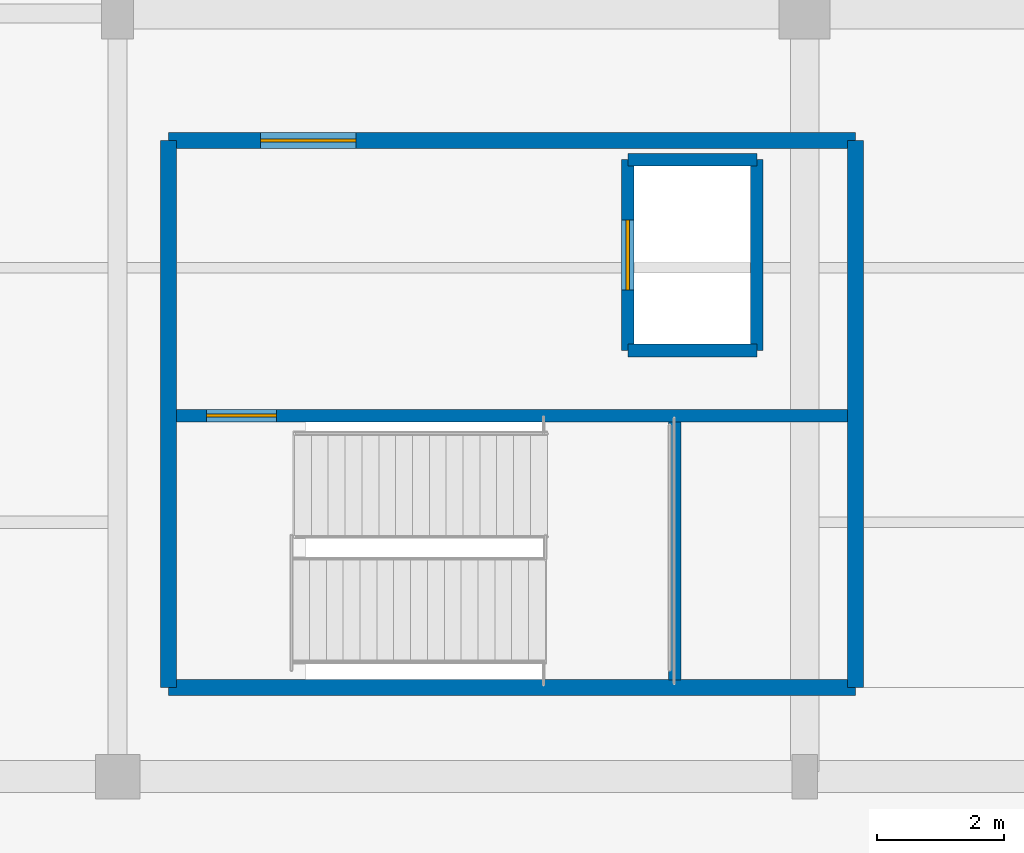
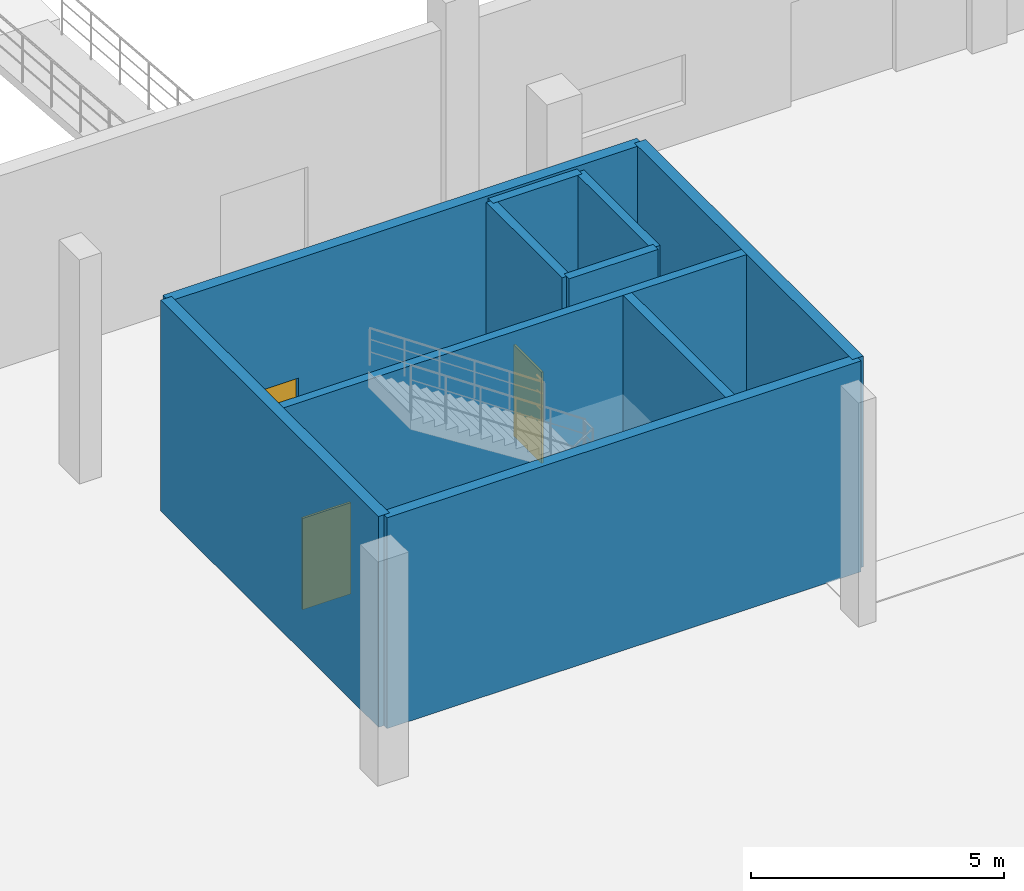
# One storey, part 58 of 85: 10 walls, 3 doors, 3 openings.
"""IFC4 building model written with IfcOpenShell, lengths in metres."""

import ifcopenshell
import ifcopenshell.guid

model = None  # the IFC model being written
_history = None  # IfcOwnerHistory: only IFC2X3 demands one
_inside = {}  # id of a spatial element -> (the spatial element, [elements in it])
_under = {}  # id of a project, library or spatial element -> (it, [spatial elements below it])
_declared = {}  # id of a project -> (the project, [libraries it declares])
_typed = {}  # id of a type object -> (the type object, [elements of that type])
_made_of = {}  # id of a material, layer set ... -> (it, [elements and type objects made of it])


def new_model(schema):
    """Start an empty IFC model of exactly this schema.

    Asked for "IFC4X3", IfcOpenShell would pick the latest addendum, in which some entities
    have other attributes; the version numbers below select the first issue.
    IFC2X3 requires an IfcOwnerHistory on every rooted entity: one is made here for all.
    """
    global model, _history
    if schema == "IFC4X3":
        model = ifcopenshell.file(schema_version=(4, 3, 0, 0))
    else:
        model = ifcopenshell.file(schema=schema)
    _inside.clear()
    _under.clear()
    _declared.clear()
    _typed.clear()
    _made_of.clear()
    _history = None
    if model.schema == "IFC2X3":
        org = make("IfcOrganization", Name="unknown")
        user = make(
            "IfcPersonAndOrganization",
            ThePerson=make("IfcPerson", FamilyName="unknown"),
            TheOrganization=org,
        )
        app = make(
            "IfcApplication",
            ApplicationDeveloper=org,
            Version="unknown",
            ApplicationFullName="unknown",
            ApplicationIdentifier="unknown",
        )
        _history = make(
            "IfcOwnerHistory",
            OwningUser=user,
            OwningApplication=app,
            ChangeAction="ADDED",
            CreationDate=0,
        )
    return model


def make(cls, **values):
    """One entity of the class cls with the attributes given. An attribute that is None is left unset."""
    return model.create_entity(
        cls, **{name: value for name, value in values.items() if value is not None}
    )


def rooted(cls, **values):
    """An entity with a GlobalId (a new one), such as an element, a storey or a relation."""
    return make(cls, GlobalId=ifcopenshell.guid.new(), OwnerHistory=_history, **values)


def si_unit(unit_type, name, prefix=None):
    """IfcSIUnit, for example si_unit("LENGTHUNIT", "METRE", prefix="MILLI")."""
    return make("IfcSIUnit", UnitType=unit_type, Prefix=prefix, Name=name)


def assignment(units):
    """IfcUnitAssignment: the units of a project."""
    return None if units is None else make("IfcUnitAssignment", Units=units)


def point(xyz):
    """IfcCartesianPoint."""
    return None if xyz is None else make("IfcCartesianPoint", Coordinates=xyz)


def direction(xyz):
    """IfcDirection."""
    return None if xyz is None else make("IfcDirection", DirectionRatios=xyz)


def frame(location, z_axis=None, x_axis=None):
    """IfcAxis2Placement3D, a coordinate frame: its origin and axes. An axis left out is left unset."""
    return make(
        "IfcAxis2Placement3D",
        Location=point(location),
        Axis=direction(z_axis),
        RefDirection=direction(x_axis),
    )


def frame_2d(location, x_axis=None):
    """IfcAxis2Placement2D, a coordinate frame in the plane: its origin and x axis."""
    return make(
        "IfcAxis2Placement2D", Location=point(location), RefDirection=direction(x_axis)
    )


def origin():
    """The frame at (0, 0, 0) with its axes left unset."""
    return frame((0.0, 0.0, 0.0))


def place(relative_to, where):
    """IfcLocalPlacement: puts the frame where relative to a parent placement (None: the world)."""
    return make(
        "IfcLocalPlacement", PlacementRelTo=relative_to, RelativePlacement=where
    )


def context(
    kind, dimensions, precision=None, world=None, true_north=None, identifier=None
):
    """IfcGeometricRepresentationContext, for example the 3D "Model" context."""
    return make(
        "IfcGeometricRepresentationContext",
        ContextIdentifier=identifier,
        ContextType=kind,
        CoordinateSpaceDimension=dimensions,
        Precision=precision,
        WorldCoordinateSystem=world,
        TrueNorth=true_north,
    )


def subcontext(parent, identifier, kind, view, scale=None):
    """IfcGeometricRepresentationSubContext, for example "Body" below "Model"."""
    return make(
        "IfcGeometricRepresentationSubContext",
        ContextIdentifier=identifier,
        ContextType=kind,
        ParentContext=parent,
        TargetScale=scale,
        TargetView=view,
    )


def project(units=None, contexts=None):
    """IfcProject with its units and contexts."""
    return rooted(
        "IfcProject",
        Name="project",
        RepresentationContexts=contexts,
        UnitsInContext=assignment(units),
    )


def spatial(cls, under=None, at=None, **own):
    """A site, building, storey or space (cls), placed at a placement, below another one or the project."""
    s = rooted(cls, ObjectPlacement=at, **own)
    if under is not None:
        _under.setdefault(under.id(), (under, []))[1].append(s)
    return s


def profile(cls, at=None, kind="AREA", **sizes):
    """A parametric profile (cls). Its sizes go by their IFC names, for example OverallWidth=200.0."""
    return make(cls, ProfileType=kind, Position=at, **sizes)


def rectangle(**sizes):
    """IfcRectangleProfileDef."""
    return profile("IfcRectangleProfileDef", **sizes)


def extrude(swept, where, along, depth):
    """IfcExtrudedAreaSolid: the profile swept, set in the frame where, extruded along a direction by depth."""
    return make(
        "IfcExtrudedAreaSolid",
        SweptArea=swept,
        Position=where,
        ExtrudedDirection=direction(along),
        Depth=depth,
    )


def shape(context_of_items, identifier, shape_type, items):
    """IfcShapeRepresentation: the items that make up one representation, for example the "Body"."""
    return make(
        "IfcShapeRepresentation",
        ContextOfItems=context_of_items,
        RepresentationIdentifier=identifier,
        RepresentationType=shape_type,
        Items=items,
    )


def material(Name=None, Category=None):
    """IfcMaterial."""
    return make("IfcMaterial", Name=Name, Category=Category)


def layer(
    of_material, thickness, ventilated=None, Name=None, Category=None, Priority=None
):
    """IfcMaterialLayer: one layer of a wall or slab, of a material (None: an air gap)."""
    return make(
        "IfcMaterialLayer",
        Material=of_material,
        LayerThickness=thickness,
        IsVentilated=ventilated,
        Name=Name,
        Category=Category,
        Priority=Priority,
    )


def layer_set(layers, Name=None):
    """IfcMaterialLayerSet."""
    return make("IfcMaterialLayerSet", MaterialLayers=layers, LayerSetName=Name)


def made_of(thing, what):
    """Note that an element or type object is made of a material, layer set ...; save() writes the relation."""
    if what is not None:
        _made_of.setdefault(what.id(), (what, []))[1].append(thing)
    return thing


def type_object(cls, material=None, **own):
    """A type object (cls), such as IfcWallType, which elements share."""
    return made_of(rooted(cls, **own), material)


def element(
    cls,
    number,
    at=None,
    inside=None,
    cuts=None,
    type_object=None,
    material=None,
    context=None,
    identifier="Body",
    shape_type=None,
    held_by="IfcProductDefinitionShape",
    body=None,
    shapes=None,
    **own,
):
    """One element of the class cls, such as IfcWall. Its Tag is "e" and its number.

    at: its placement. inside: the storey or other place that contains it. cuts: it is an
    opening in that element (IfcRelVoidsElement). A single representation is given by context,
    identifier, shape_type and body (its items); several are given by shapes. held_by: the class
    of the entity that holds the representations. save() writes the other relations.
    """
    e = rooted(cls, Tag="e%d" % number, ObjectPlacement=at, **own)
    if body is not None:
        shapes = [shape(context, identifier, shape_type, body)]
    if shapes is not None:
        e.Representation = make(held_by, Representations=shapes)
    if inside is not None:
        _inside.setdefault(inside.id(), (inside, []))[1].append(e)
    if cuts is not None:
        rooted(
            "IfcRelVoidsElement", RelatingBuildingElement=cuts, RelatedOpeningElement=e
        )
    if type_object is not None:
        _typed.setdefault(type_object.id(), (type_object, []))[1].append(e)
    return made_of(e, material)


def fill(opening, filler):
    """IfcRelFillsElement: the door or window that sits in an opening."""
    return rooted(
        "IfcRelFillsElement",
        RelatingOpeningElement=opening,
        RelatedBuildingElement=filler,
    )


def aggregate(whole, parts):
    """IfcRelAggregates: a whole, such as a stair, and the parts it consists of."""
    return rooted("IfcRelAggregates", RelatingObject=whole, RelatedObjects=parts)


def save(model, path):
    """Write the relations noted so far, then the file.

    IfcRelAggregates (storeys below a building ...), IfcRelContainedInSpatialStructure (elements
    in a storey), IfcRelDefinesByType, IfcRelAssociatesMaterial and IfcRelDeclares: one each for
    every whole, place, type object, material and project.
    """
    for whole, parts in _under.values():
        aggregate(whole, parts)
    for where, things in _inside.values():
        rooted(
            "IfcRelContainedInSpatialStructure",
            RelatedElements=things,
            RelatingStructure=where,
        )
    for kind, things in _typed.values():
        rooted("IfcRelDefinesByType", RelatedObjects=things, RelatingType=kind)
    for what, things in _made_of.values():
        rooted("IfcRelAssociatesMaterial", RelatedObjects=things, RelatingMaterial=what)
    for by, libraries in _declared.values():
        rooted("IfcRelDeclares", RelatingContext=by, RelatedDefinitions=libraries)
    model.write(path)


model = new_model("IFC4")

# Units and contexts
model_context = context("Model", 3, precision=1e-05, world=origin(), true_north=direction((0.0, 1.0)))
body_context = subcontext(model_context, "Body", "Model", "MODEL_VIEW")
ifc_project = project(units=[si_unit("LENGTHUNIT", "METRE"), si_unit("AREAUNIT", "SQUARE_METRE"), si_unit("VOLUMEUNIT", "CUBIC_METRE"), si_unit("PLANEANGLEUNIT", "RADIAN"), si_unit("MASSUNIT", "GRAM", prefix="KILO"), si_unit("THERMODYNAMICTEMPERATUREUNIT", "KELVIN"), si_unit("POWERUNIT", "WATT")], contexts=[model_context])

# Site, building, storey
site_placement = place(None, origin())
site = spatial("IfcSite", under=ifc_project, at=site_placement, CompositionType="ELEMENT")
building_placement = place(site_placement, origin())
building = spatial("IfcBuilding", under=site, at=building_placement, Name="Solmara Park Aquatics Centre", CompositionType="ELEMENT")
storey_placement = place(building_placement, origin())
storey = spatial("IfcBuildingStorey", under=building, at=storey_placement, Name="L00", CompositionType="ELEMENT", Elevation=0.0)

# Wall
ifc_material_1 = material(Name="Concrete C40/50", Category="concrete")
ifc_layer_1 = layer(ifc_material_1, 0.25, Name="Concrete C40/50")
ifc_layer_set_1 = layer_set([ifc_layer_1], Name="Concrete C40/50")
wall_type_1 = type_object("IfcWallType", Name="ARC-WL-CORE250", PredefinedType="SHEAR", material=ifc_layer_set_1)
wall_1_placement = place(storey_placement, frame((110.0, 38.0, 0.0), z_axis=(0.0, 0.0, 1.0), x_axis=(1.0, 0.0, 0.0)))
element("IfcWall", 1, at=wall_1_placement, inside=storey, type_object=wall_type_1, Name="CORE-3 Core Wall S L00", PredefinedType="SHEAR", context=body_context, shape_type="SweptSolid", body=[
    extrude(rectangle(XDim=10.800048828125, YDim=0.25, at=frame_2d((5.39990234375, 0.0))), origin(), (0.0, 0.0, 1.0), 5.080078125),
])

# Wall, opening, door
wall_2_placement = place(storey_placement, frame((110.0, 46.60009765625, 0.0), z_axis=(0.0, 0.0, 1.0), x_axis=(1.0, 0.0, 0.0)))
wall_2 = element("IfcWall", 2, at=wall_2_placement, inside=storey, type_object=wall_type_1, Name="CORE-3 Core Wall N L00", PredefinedType="SHEAR", context=body_context, shape_type="SweptSolid", body=[
    extrude(rectangle(XDim=10.800048828125, YDim=0.25, at=frame_2d((5.39990234375, 0.0))), origin(), (0.0, 0.0, 1.0), 5.080078125),
])
opening_1_placement = place(wall_2_placement, frame((1.449951171875, 0.0, 0.0)))
opening_1 = element("IfcOpeningElement", 3, at=opening_1_placement, cuts=wall_2, Name="Opening D-12", PredefinedType="OPENING", context=body_context, shape_type="SweptSolid", body=[
    extrude(rectangle(XDim=1.5, YDim=2.199951171875, at=frame_2d((0.75, 1.10009765625))), frame((0.0, 0.135009765625, 0.0), z_axis=(0.0, -1.0, 0.0), x_axis=(1.0, 0.0, 0.0)), (0.0, 0.0, 1.0), 0.27001953125),
])
ifc_material_2 = material(Name="Moisture-Resistant HPL & Hardwood", Category="wood")
door_type_1 = type_object("IfcDoorType", Name="ARC-DR-FD150x220", OperationType="DOUBLE_DOOR_SINGLE_SWING", PredefinedType="DOOR", material=ifc_material_2)
door_1_placement = place(opening_1_placement, origin())
door_1 = element("IfcDoor", 4, at=door_1_placement, inside=storey, type_object=door_type_1, Name="CORE-3 Lobby Entry Fire Door L00", OperationType="DOUBLE_DOOR_SINGLE_SWING", OverallHeight=2.199951171875, OverallWidth=1.5, PredefinedType="DOOR", context=body_context, shape_type="SweptSolid", body=[
    extrude(rectangle(XDim=1.5, YDim=2.199951171875, at=frame_2d((0.75, 1.10009765625))), frame((0.0, 0.02490234375, 0.0), z_axis=(0.0, -1.0, 0.0), x_axis=(1.0, 0.0, 0.0)), (0.0, 0.0, 1.0), 0.050048828125),
])
fill(opening_1, door_1)

# Walls
for number, where, z_axis, x_axis, name in (
    (5, (110.0, 38.0, 0.0), (0.0, 0.0, 1.0), (0.0, 1.0, 0.0), "CORE-3 Core Wall W L00"),
    (6, (120.800048828125, 38.0, 0.0), (0.0, 0.0, 1.0), (0.0, 1.0, 0.0), "CORE-3 Core Wall E L00"),
):
    element("IfcWall", number, at=place(storey_placement, frame(where, z_axis=z_axis, x_axis=x_axis)), inside=storey, type_object=wall_type_1, Name=name, PredefinedType="SHEAR", context=body_context, shape_type="SweptSolid", body=[
        extrude(rectangle(XDim=8.60009765625, YDim=0.25, at=frame_2d((4.300048828125, 0.0))), origin(), (0.0, 0.0, 1.0), 5.080078125),
    ])

# Wall, opening, door
ifc_material_3 = material(Name="Concrete C25/30 Autoclaved Aerated Fire Blockwork", Category="masonry")
ifc_layer_2 = layer(ifc_material_3, 0.199951171875, Name="Concrete C25/30 Autoclaved Aerated Fire Blockwork")
ifc_layer_set_2 = layer_set([ifc_layer_2], Name="Concrete C25/30 Autoclaved Aerated Fire Blockwork")
wall_type_2 = type_object("IfcWallType", Name="ARC-WL-FIRE200", PredefinedType="SOLIDWALL", material=ifc_layer_set_2)
wall_3_placement = place(storey_placement, frame((117.219970703125, 43.300048828125, 0.0), z_axis=(0.0, 0.0, 1.0), x_axis=(0.0, 1.0, 0.0)))
wall_3 = element("IfcWall", 7, at=wall_3_placement, inside=storey, type_object=wall_type_2, Name="CORE-3 Lift Shaft Front Wall L00", PredefinedType="SOLIDWALL", context=body_context, shape_type="SweptSolid", body=[
    extrude(rectangle(XDim=3.0, YDim=0.199951171875, at=frame_2d((1.5, 0.0))), origin(), (0.0, 0.0, 1.0), 5.080078125),
])
opening_2_placement = place(wall_3_placement, frame((0.949951171875, 0.0, 0.0)))
opening_2 = element("IfcOpeningElement", 8, at=opening_2_placement, cuts=wall_3, Name="Opening D-09", PredefinedType="OPENING", context=body_context, shape_type="SweptSolid", body=[
    extrude(rectangle(XDim=1.10009765625, YDim=2.199951171875, at=frame_2d((0.550048828125, 1.10009765625))), frame((0.0, 0.10986328125, 0.0), z_axis=(0.0, -1.0, 0.0), x_axis=(1.0, 0.0, 0.0)), (0.0, 0.0, 1.0), 0.219970703125),
])
ifc_material_4 = material(Name="Stainless Steel", Category="steel")
door_type_2 = type_object("IfcDoorType", Name="ARC-DR-LD110x220", OperationType="DOUBLE_DOOR_SLIDING", PredefinedType="DOOR", material=ifc_material_4)
door_2_placement = place(opening_2_placement, origin())
door_2 = element("IfcDoor", 9, at=door_2_placement, inside=storey, type_object=door_type_2, Name="LF-05 Lift Landing Door L00", OperationType="DOUBLE_DOOR_SLIDING", OverallHeight=2.199951171875, OverallWidth=1.10009765625, PredefinedType="DOOR", context=body_context, shape_type="SweptSolid", body=[
    extrude(rectangle(XDim=1.10009765625, YDim=2.199951171875, at=frame_2d((0.550048828125, 1.10009765625))), frame((0.0, 0.02490234375, 0.0), z_axis=(0.0, -1.0, 0.0), x_axis=(1.0, 0.0, 0.0)), (0.0, 0.0, 1.0), 0.050048828125),
])
fill(opening_2, door_2)

# Walls
wall_4_placement = place(storey_placement, frame((119.25, 43.300048828125, 0.0), z_axis=(0.0, 0.0, 1.0), x_axis=(0.0, 1.0, 0.0)))
element("IfcWall", 10, at=wall_4_placement, inside=storey, type_object=wall_type_2, Name="LF-05 Lift Shaft East Wall L00", PredefinedType="SOLIDWALL", context=body_context, shape_type="SweptSolid", body=[
    extrude(rectangle(XDim=3.0, YDim=0.199951171875, at=frame_2d((1.5, 0.0))), origin(), (0.0, 0.0, 1.0), 5.080078125),
])
for number, where, z_axis, x_axis, name in (
    (11, (117.219970703125, 43.300048828125, 0.0), (0.0, 0.0, 1.0), (1.0, 0.0, 0.0), "LF-05 Lift Shaft South Wall L00"),
    (12, (117.219970703125, 46.300048828125, 0.0), (0.0, 0.0, 1.0), (1.0, 0.0, 0.0), "LF-05 Lift Shaft North Wall L00"),
):
    element("IfcWall", number, at=place(storey_placement, frame(where, z_axis=z_axis, x_axis=x_axis)), inside=storey, type_object=wall_type_2, Name=name, PredefinedType="SOLIDWALL", context=body_context, shape_type="SweptSolid", body=[
        extrude(rectangle(XDim=2.030029296875, YDim=0.199951171875, at=frame_2d((1.01513671875, 0.0))), origin(), (0.0, 0.0, 1.0), 5.080078125),
    ])

# Wall, opening, door
ifc_material_5 = material(Name="Concrete C35/45", Category="concrete")
ifc_layer_3 = layer(ifc_material_5, 0.199951171875, Name="Concrete C35/45")
ifc_layer_set_3 = layer_set([ifc_layer_3], Name="Concrete C35/45")
wall_type_3 = type_object("IfcWallType", Name="STR-WL-STAIR200", PredefinedType="SHEAR", material=ifc_layer_set_3)
wall_5_placement = place(storey_placement, frame((110.1201171875, 42.27490234375, 0.0), z_axis=(0.0, 0.0, 1.0), x_axis=(1.0, 0.0, 0.0)))
wall_5 = element("IfcWall", 13, at=wall_5_placement, inside=storey, type_object=wall_type_3, Name="CORE-3 Stairwell Compartment Wall L00", PredefinedType="SHEAR", context=body_context, shape_type="SweptSolid", body=[
    extrude(rectangle(XDim=10.559814453125, YDim=0.199951171875, at=frame_2d((5.27978515625, 0.0))), origin(), (0.0, 0.0, 1.0), 5.080078125),
])
opening_3_placement = place(wall_5_placement, frame((0.47998046875, 0.0, 0.0)))
opening_3 = element("IfcOpeningElement", 14, at=opening_3_placement, cuts=wall_5, Name="Opening D-11", PredefinedType="OPENING", context=body_context, shape_type="SweptSolid", body=[
    extrude(rectangle(XDim=1.10009765625, YDim=2.199951171875, at=frame_2d((0.550048828125, 1.10009765625))), frame((0.0, 0.10986328125, 0.0), z_axis=(0.0, -1.0, 0.0), x_axis=(1.0, 0.0, 0.0)), (0.0, 0.0, 1.0), 0.219970703125),
])
door_type_3 = type_object("IfcDoorType", Name="ARC-DR-FD110x220", OperationType="NOTDEFINED", PredefinedType="DOOR", material=ifc_material_2)
door_3_placement = place(opening_3_placement, frame((1.10009765625, 0.0, 0.0), z_axis=(0.0, 0.0, 1.0), x_axis=(-1.0, 0.0, 0.0)))
door_3 = element("IfcDoor", 15, at=door_3_placement, inside=storey, type_object=door_type_3, Name="ST-03 Fire Door L00", OperationType="SINGLE_SWING_RIGHT", OverallHeight=2.199951171875, OverallWidth=1.10009765625, PredefinedType="DOOR", context=body_context, shape_type="SweptSolid", body=[
    extrude(rectangle(XDim=1.10009765625, YDim=2.199951171875, at=frame_2d((0.550048828125, 1.10009765625))), frame((0.0, 0.02490234375, 0.0), z_axis=(0.0, -1.0, 0.0), x_axis=(1.0, 0.0, 0.0)), (0.0, 0.0, 1.0), 0.050048828125),
])
fill(opening_3, door_3)

# Wall
wall_6_placement = place(storey_placement, frame((117.9599609375, 38.1201171875, 0.0), z_axis=(0.0, 0.0, 1.0), x_axis=(0.0, 1.0, 0.0)))
element("IfcWall", 16, at=wall_6_placement, inside=storey, type_object=wall_type_3, Name="CORE-3 Stairwell East End Wall L00", PredefinedType="SHEAR", context=body_context, shape_type="SweptSolid", body=[
    extrude(rectangle(XDim=4.054931640625, YDim=0.199951171875, at=frame_2d((2.02734375, 0.0))), origin(), (0.0, 0.0, 1.0), 5.080078125),
])

save(model, "model.ifc")
